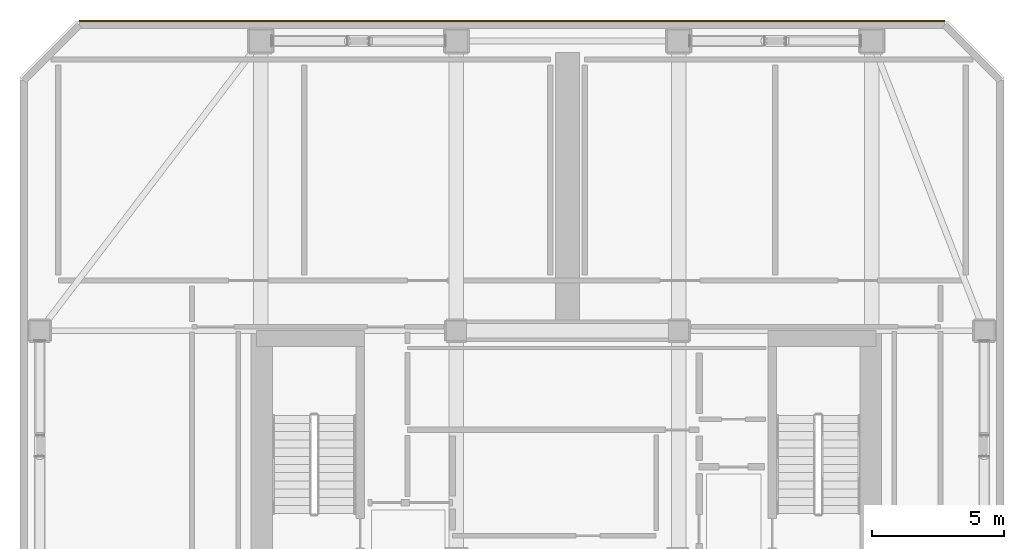
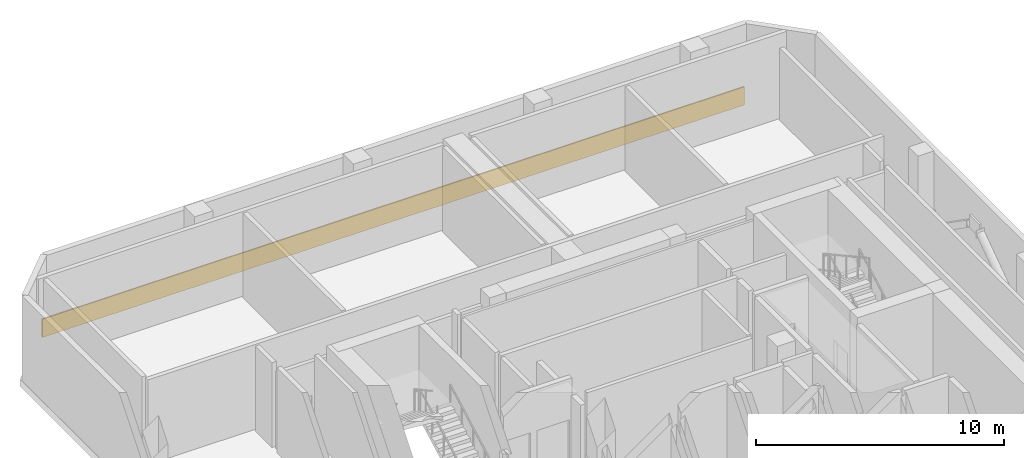
# One storey, part 13 of 13: 1 covering.
"""IFC4 building model written with IfcOpenShell, lengths in metres."""

import ifcopenshell
import ifcopenshell.guid

model = None  # the IFC model being written
_history = None  # IfcOwnerHistory: only IFC2X3 demands one
_inside = {}  # id of a spatial element -> (the spatial element, [elements in it])
_under = {}  # id of a project, library or spatial element -> (it, [spatial elements below it])
_declared = {}  # id of a project -> (the project, [libraries it declares])
_typed = {}  # id of a type object -> (the type object, [elements of that type])
_made_of = {}  # id of a material, layer set ... -> (it, [elements and type objects made of it])


def new_model(schema):
    """Start an empty IFC model of exactly this schema.

    Asked for "IFC4X3", IfcOpenShell would pick the latest addendum, in which some entities
    have other attributes; the version numbers below select the first issue.
    IFC2X3 requires an IfcOwnerHistory on every rooted entity: one is made here for all.
    """
    global model, _history
    if schema == "IFC4X3":
        model = ifcopenshell.file(schema_version=(4, 3, 0, 0))
    else:
        model = ifcopenshell.file(schema=schema)
    _inside.clear()
    _under.clear()
    _declared.clear()
    _typed.clear()
    _made_of.clear()
    _history = None
    if model.schema == "IFC2X3":
        org = make("IfcOrganization", Name="unknown")
        user = make(
            "IfcPersonAndOrganization",
            ThePerson=make("IfcPerson", FamilyName="unknown"),
            TheOrganization=org,
        )
        app = make(
            "IfcApplication",
            ApplicationDeveloper=org,
            Version="unknown",
            ApplicationFullName="unknown",
            ApplicationIdentifier="unknown",
        )
        _history = make(
            "IfcOwnerHistory",
            OwningUser=user,
            OwningApplication=app,
            ChangeAction="ADDED",
            CreationDate=0,
        )
    return model


def make(cls, **values):
    """One entity of the class cls with the attributes given. An attribute that is None is left unset."""
    return model.create_entity(
        cls, **{name: value for name, value in values.items() if value is not None}
    )


def rooted(cls, **values):
    """An entity with a GlobalId (a new one), such as an element, a storey or a relation."""
    return make(cls, GlobalId=ifcopenshell.guid.new(), OwnerHistory=_history, **values)


def si_unit(unit_type, name, prefix=None):
    """IfcSIUnit, for example si_unit("LENGTHUNIT", "METRE", prefix="MILLI")."""
    return make("IfcSIUnit", UnitType=unit_type, Prefix=prefix, Name=name)


def assignment(units):
    """IfcUnitAssignment: the units of a project."""
    return None if units is None else make("IfcUnitAssignment", Units=units)


def point(xyz):
    """IfcCartesianPoint."""
    return None if xyz is None else make("IfcCartesianPoint", Coordinates=xyz)


def direction(xyz):
    """IfcDirection."""
    return None if xyz is None else make("IfcDirection", DirectionRatios=xyz)


def frame(location, z_axis=None, x_axis=None):
    """IfcAxis2Placement3D, a coordinate frame: its origin and axes. An axis left out is left unset."""
    return make(
        "IfcAxis2Placement3D",
        Location=point(location),
        Axis=direction(z_axis),
        RefDirection=direction(x_axis),
    )


def frame_2d(location, x_axis=None):
    """IfcAxis2Placement2D, a coordinate frame in the plane: its origin and x axis."""
    return make(
        "IfcAxis2Placement2D", Location=point(location), RefDirection=direction(x_axis)
    )


def origin():
    """The frame at (0, 0, 0) with its axes left unset."""
    return frame((0.0, 0.0, 0.0))


def place(relative_to, where):
    """IfcLocalPlacement: puts the frame where relative to a parent placement (None: the world)."""
    return make(
        "IfcLocalPlacement", PlacementRelTo=relative_to, RelativePlacement=where
    )


def context(
    kind, dimensions, precision=None, world=None, true_north=None, identifier=None
):
    """IfcGeometricRepresentationContext, for example the 3D "Model" context."""
    return make(
        "IfcGeometricRepresentationContext",
        ContextIdentifier=identifier,
        ContextType=kind,
        CoordinateSpaceDimension=dimensions,
        Precision=precision,
        WorldCoordinateSystem=world,
        TrueNorth=true_north,
    )


def subcontext(parent, identifier, kind, view, scale=None):
    """IfcGeometricRepresentationSubContext, for example "Body" below "Model"."""
    return make(
        "IfcGeometricRepresentationSubContext",
        ContextIdentifier=identifier,
        ContextType=kind,
        ParentContext=parent,
        TargetScale=scale,
        TargetView=view,
    )


def project(units=None, contexts=None):
    """IfcProject with its units and contexts."""
    return rooted(
        "IfcProject",
        Name="project",
        RepresentationContexts=contexts,
        UnitsInContext=assignment(units),
    )


def spatial(cls, under=None, at=None, **own):
    """A site, building, storey or space (cls), placed at a placement, below another one or the project."""
    s = rooted(cls, ObjectPlacement=at, **own)
    if under is not None:
        _under.setdefault(under.id(), (under, []))[1].append(s)
    return s


def profile(cls, at=None, kind="AREA", **sizes):
    """A parametric profile (cls). Its sizes go by their IFC names, for example OverallWidth=200.0."""
    return make(cls, ProfileType=kind, Position=at, **sizes)


def rectangle(**sizes):
    """IfcRectangleProfileDef."""
    return profile("IfcRectangleProfileDef", **sizes)


def extrude(swept, where, along, depth):
    """IfcExtrudedAreaSolid: the profile swept, set in the frame where, extruded along a direction by depth."""
    return make(
        "IfcExtrudedAreaSolid",
        SweptArea=swept,
        Position=where,
        ExtrudedDirection=direction(along),
        Depth=depth,
    )


def shape(context_of_items, identifier, shape_type, items):
    """IfcShapeRepresentation: the items that make up one representation, for example the "Body"."""
    return make(
        "IfcShapeRepresentation",
        ContextOfItems=context_of_items,
        RepresentationIdentifier=identifier,
        RepresentationType=shape_type,
        Items=items,
    )


def material(Name=None, Category=None):
    """IfcMaterial."""
    return make("IfcMaterial", Name=Name, Category=Category)


def layer(
    of_material, thickness, ventilated=None, Name=None, Category=None, Priority=None
):
    """IfcMaterialLayer: one layer of a wall or slab, of a material (None: an air gap)."""
    return make(
        "IfcMaterialLayer",
        Material=of_material,
        LayerThickness=thickness,
        IsVentilated=ventilated,
        Name=Name,
        Category=Category,
        Priority=Priority,
    )


def layer_set(layers, Name=None):
    """IfcMaterialLayerSet."""
    return make("IfcMaterialLayerSet", MaterialLayers=layers, LayerSetName=Name)


def made_of(thing, what):
    """Note that an element or type object is made of a material, layer set ...; save() writes the relation."""
    if what is not None:
        _made_of.setdefault(what.id(), (what, []))[1].append(thing)
    return thing


def type_object(cls, material=None, **own):
    """A type object (cls), such as IfcWallType, which elements share."""
    return made_of(rooted(cls, **own), material)


def element(
    cls,
    number,
    at=None,
    inside=None,
    cuts=None,
    type_object=None,
    material=None,
    context=None,
    identifier="Body",
    shape_type=None,
    held_by="IfcProductDefinitionShape",
    body=None,
    shapes=None,
    **own,
):
    """One element of the class cls, such as IfcWall. Its Tag is "e" and its number.

    at: its placement. inside: the storey or other place that contains it. cuts: it is an
    opening in that element (IfcRelVoidsElement). A single representation is given by context,
    identifier, shape_type and body (its items); several are given by shapes. held_by: the class
    of the entity that holds the representations. save() writes the other relations.
    """
    e = rooted(cls, Tag="e%d" % number, ObjectPlacement=at, **own)
    if body is not None:
        shapes = [shape(context, identifier, shape_type, body)]
    if shapes is not None:
        e.Representation = make(held_by, Representations=shapes)
    if inside is not None:
        _inside.setdefault(inside.id(), (inside, []))[1].append(e)
    if cuts is not None:
        rooted(
            "IfcRelVoidsElement", RelatingBuildingElement=cuts, RelatedOpeningElement=e
        )
    if type_object is not None:
        _typed.setdefault(type_object.id(), (type_object, []))[1].append(e)
    return made_of(e, material)


def aggregate(whole, parts):
    """IfcRelAggregates: a whole, such as a stair, and the parts it consists of."""
    return rooted("IfcRelAggregates", RelatingObject=whole, RelatedObjects=parts)


def save(model, path):
    """Write the relations noted so far, then the file.

    IfcRelAggregates (storeys below a building ...), IfcRelContainedInSpatialStructure (elements
    in a storey), IfcRelDefinesByType, IfcRelAssociatesMaterial and IfcRelDeclares: one each for
    every whole, place, type object, material and project.
    """
    for whole, parts in _under.values():
        aggregate(whole, parts)
    for where, things in _inside.values():
        rooted(
            "IfcRelContainedInSpatialStructure",
            RelatedElements=things,
            RelatingStructure=where,
        )
    for kind, things in _typed.values():
        rooted("IfcRelDefinesByType", RelatedObjects=things, RelatingType=kind)
    for what, things in _made_of.values():
        rooted("IfcRelAssociatesMaterial", RelatedObjects=things, RelatingMaterial=what)
    for by, libraries in _declared.values():
        rooted("IfcRelDeclares", RelatingContext=by, RelatedDefinitions=libraries)
    model.write(path)


model = new_model("IFC4")

# Units and contexts
model_context = context("Model", 3, precision=1e-05, world=origin(), true_north=direction((0.0, 1.0)))
body_context = subcontext(model_context, "Body", "Model", "MODEL_VIEW")
ifc_project = project(units=[si_unit("LENGTHUNIT", "METRE"), si_unit("AREAUNIT", "SQUARE_METRE"), si_unit("VOLUMEUNIT", "CUBIC_METRE"), si_unit("PLANEANGLEUNIT", "RADIAN"), si_unit("MASSUNIT", "GRAM", prefix="KILO")], contexts=[model_context])

# Site, building, storey
site_placement = place(None, origin())
site = spatial("IfcSite", under=ifc_project, at=site_placement, CompositionType="ELEMENT")
building_placement = place(site_placement, origin())
building = spatial("IfcBuilding", under=site, at=building_placement, Name="Solanera Arch Residences", CompositionType="ELEMENT")
storey_placement = place(building_placement, frame((0.0, 0.0, 257.840087890625)))
storey = spatial("IfcBuildingStorey", under=building, at=storey_placement, Name="L75", CompositionType="ELEMENT", Elevation=257.840087890625)

# Covering
ifc_material = material(Name="Philippine Adobe Travertine Cladding", Category="masonry")
ifc_layer = layer(ifc_material, 0.06005859375)
ifc_layer_set = layer_set([ifc_layer], Name="Philippine Adobe Travertine Cladding")
covering_type = type_object("IfcCoveringType", Name="Precast Pier Stone Cladding CLD-60", PredefinedType="CLADDING", material=ifc_layer_set)
covering_placement = place(storey_placement, frame((6.544921875, 51.114990234375, 0.0), z_axis=(0.0, 0.0, 1.0), x_axis=(1.0, 0.0, 0.0)))
element("IfcCovering", 1, at=covering_placement, inside=storey, type_object=covering_type, Name="L75 N Precast Spandrel Stone Band", PredefinedType="CLADDING", context=body_context, shape_type="SweptSolid", body=[
    extrude(rectangle(XDim=32.7099609375, YDim=0.06005859375, at=frame_2d((16.35498046875, 0.0))), origin(), (0.0, 0.0, 1.0), 0.89990234375),
])

save(model, "model.ifc")
